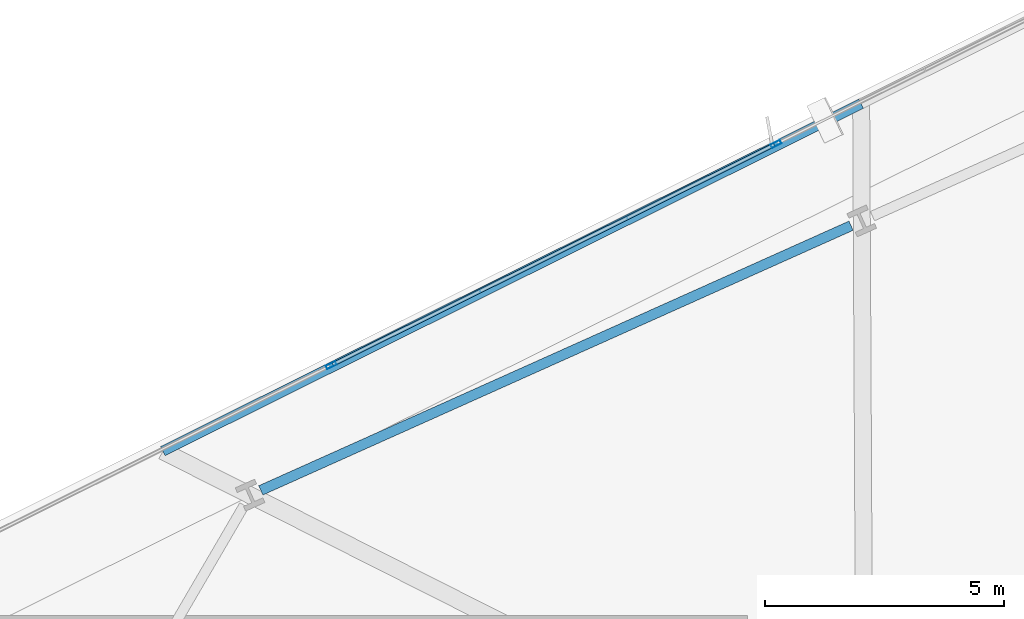
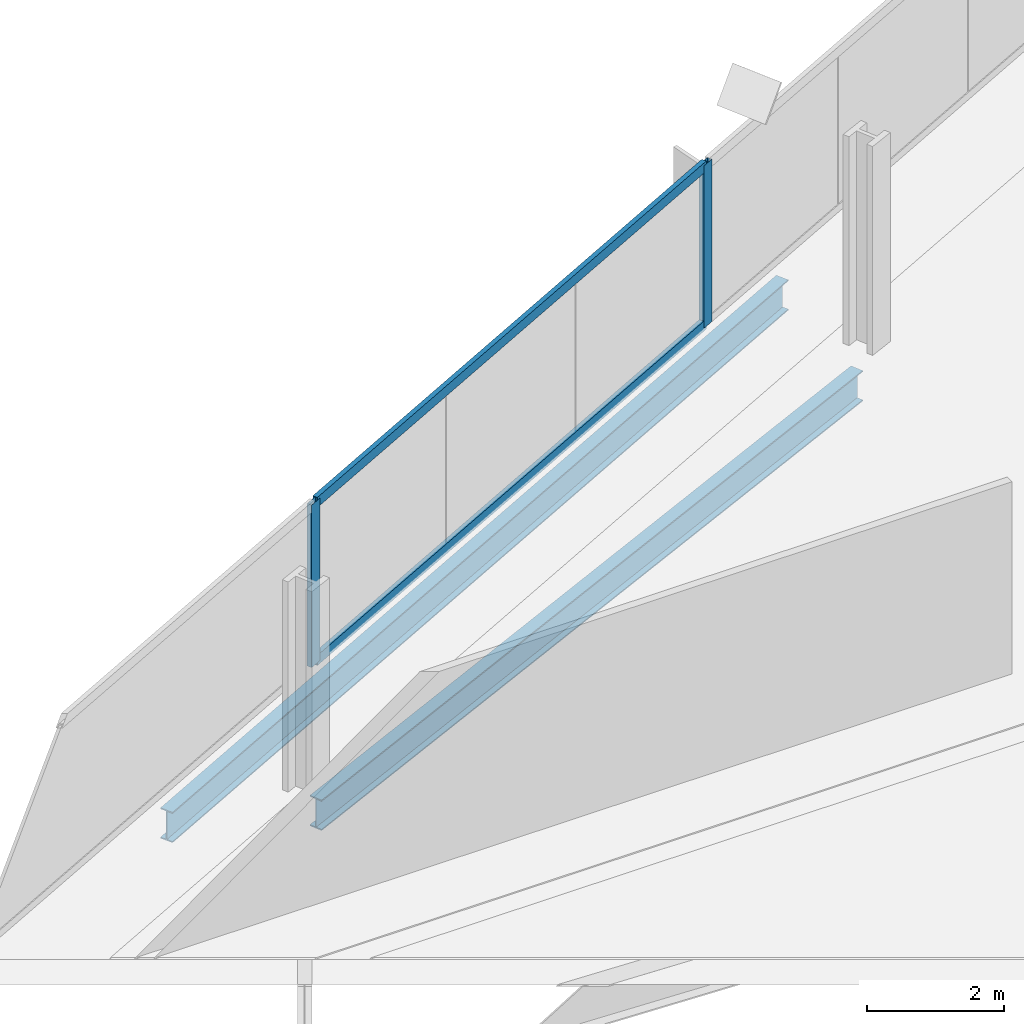
# One storey, part 17 of 35: 4 members, 2 beams, 1 element without a shape of its own.
"""IFC4 building model written with IfcOpenShell, lengths in metres."""

from ifc_helpers import new_model, si_unit, direction, frame, origin, origin_2d, place, context, subcontext, project, spatial, hollow_rectangle, i_section, extrude, material, material_profile, profile_set, type_object, element, aggregate, save


model = new_model("IFC4")

# Units and contexts
model_context = context("Model", 3, precision=1e-05, world=origin(), true_north=direction((0.0, 1.0)))
body_context = subcontext(model_context, "Body", "Model", "MODEL_VIEW")
ifc_project = project(units=[si_unit("LENGTHUNIT", "METRE"), si_unit("AREAUNIT", "SQUARE_METRE"), si_unit("VOLUMEUNIT", "CUBIC_METRE"), si_unit("PLANEANGLEUNIT", "RADIAN"), si_unit("MASSUNIT", "GRAM", prefix="KILO")], contexts=[model_context])

# Site, building, storey
site_placement = place(None, origin())
site = spatial("IfcSite", under=ifc_project, at=site_placement, CompositionType="ELEMENT")
building_placement = place(site_placement, origin())
building = spatial("IfcBuilding", under=site, at=building_placement, Name="Haldenkirk Collegiate Tower", CompositionType="ELEMENT")
storey_placement = place(building_placement, frame((0.0, 0.0, 116.699951171875)))
storey = spatial("IfcBuildingStorey", under=building, at=storey_placement, Name="L28", CompositionType="ELEMENT", Elevation=116.699951171875)

# Beams
ifc_material_1 = material(Name="Steel ASTM A992 Grade 50", Category="steel")
ifc_material_profile_1 = material_profile(ifc_material_1, i_section(OverallWidth=0.2119140625, OverallDepth=0.5439453125, WebThickness=0.01318359375, FlangeThickness=0.021240234375, at=origin_2d()), Name="W21X83")
ifc_profile_set_1 = profile_set([ifc_material_profile_1], Name="Steel ASTM A992 Grade 50")
beam_type = type_object("IfcBeamType", Name="BM-SPANDREL-W21X83", PredefinedType="SPANDREL", material=ifc_profile_set_1)
beam_1_placement = place(storey_placement, frame((26.7138671875, 46.111083984375, -0.572021484375), z_axis=(-0.912476765144, -0.409128528793, 0.0), x_axis=(0.409128528793, -0.912476765144, 0.0)))
element("IfcBeam", 1, at=beam_1_placement, inside=storey, type_object=beam_type, Name="L28 perimeter spandrel beam 11", PredefinedType="SPANDREL", context=body_context, shape_type="SweptSolid", body=[
    extrude(i_section(OverallWidth=0.2119140625, OverallDepth=0.5439453125, WebThickness=0.01318359375, FlangeThickness=0.021240234375, at=origin_2d()), origin(), (0.0, 0.0, 1.0), 13.512939453125),
])
beam_2_placement = place(storey_placement, frame((26.92529296875, 48.659912109375, -0.572021484375), z_axis=(-0.8953213915, -0.445420706661, 0.0), x_axis=(0.445420706661, -0.8953213915, 0.0)))
element("IfcBeam", 2, at=beam_2_placement, inside=storey, type_object=beam_type, Name="L28 outer facade edge beam 3B", PredefinedType="SPANDREL", context=body_context, shape_type="SweptSolid", body=[
    extrude(i_section(OverallWidth=0.2119140625, OverallDepth=0.5439453125, WebThickness=0.01318359375, FlangeThickness=0.021240234375, at=origin_2d()), origin(), (0.0, 0.0, 1.0), 16.294189453125),
])

# Curtain wall, members
ifc_material_2 = material(Name="Anodised architectural bronze aluminium", Category="aluminium")
curtain_wall_type = type_object("IfcCurtainWallType", Name="CW-SYS1-CONVEX-LOW", PredefinedType="USERDEFINED", material=ifc_material_2)
curtain_wall_placement = place(storey_placement, origin())
curtain_wall = element("IfcCurtainWall", 3, at=curtain_wall_placement, inside=storey, type_object=curtain_wall_type, Name="L28 Lower tower convex bronze-framed unitised curtain wall", ObjectType="UNITISED CURTAIN WALL", PredefinedType="USERDEFINED")
ifc_material_profile_2 = material_profile(ifc_material_2, hollow_rectangle(XDim=0.080078125, YDim=0.219970703125, WallThickness=0.0048828125, at=origin_2d()), Name="CW-MUL-1A")
ifc_profile_set_2 = profile_set([ifc_material_profile_2], Name="Anodised architectural bronze aluminium")
member_type_1 = type_object("IfcMemberType", Name="CW-MUL-1A", PredefinedType="MULLION", material=ifc_profile_set_2)
member_1_placement = place(storey_placement, frame((15.856201171875, 43.19775390625, 0.0), z_axis=(0.0, 0.0, 1.0), x_axis=(-0.445417030937, 0.895323220156, 0.0)))
member_1 = element("IfcMember", 4, at=member_1_placement, type_object=member_type_1, Name="CW-1A mullion 2", PredefinedType="MULLION", context=body_context, shape_type="SweptSolid", body=[
    extrude(hollow_rectangle(XDim=0.080078125, YDim=0.219970703125, WallThickness=0.0048828125, at=origin_2d()), origin(), (0.0, 0.0, 1.0), 2.901123046875),
])
member_2_placement = place(storey_placement, frame((25.145263671875, 47.819091796875, 0.0), z_axis=(0.0, 0.0, 1.0), x_axis=(-0.445417030937, 0.895323220156, 0.0)))
member_2 = element("IfcMember", 5, at=member_2_placement, type_object=member_type_1, Name="CW-1A mullion 3", PredefinedType="MULLION", context=body_context, shape_type="SweptSolid", body=[
    extrude(hollow_rectangle(XDim=0.080078125, YDim=0.219970703125, WallThickness=0.0048828125, at=origin_2d()), origin(), (0.0, 0.0, 1.0), 2.901123046875),
])
ifc_material_profile_3 = material_profile(ifc_material_2, hollow_rectangle(XDim=0.080078125, YDim=0.179931640625, WallThickness=0.0048828125, at=origin_2d()), Name="CW-TRN-1A")
ifc_profile_set_3 = profile_set([ifc_material_profile_3], Name="Anodised architectural bronze aluminium")
member_type_2 = type_object("IfcMemberType", Name="CW-TRN-1A", PredefinedType="USERDEFINED", material=ifc_profile_set_3)
member_3_placement = place(storey_placement, frame((15.89208984375, 43.215576171875, 0.0400390625), z_axis=(0.895317078221, 0.445429376496, 0.0), x_axis=(-0.445429376496, 0.895317078221, 0.0)))
member_3 = element("IfcMember", 6, at=member_3_placement, type_object=member_type_2, Name="CW-1A transom 2.1", ObjectType="TRANSOM", PredefinedType="USERDEFINED", context=body_context, shape_type="SweptSolid", body=[
    extrude(hollow_rectangle(XDim=0.080078125, YDim=0.179931640625, WallThickness=0.0048828125, at=origin_2d()), origin(), (0.0, 0.0, 1.0), 10.294921875),
])
member_4_placement = place(storey_placement, frame((15.89208984375, 43.215576171875, 2.861083984375), z_axis=(0.895317078221, 0.445429376496, 0.0), x_axis=(-0.445429376496, 0.895317078221, 0.0)))
member_4 = element("IfcMember", 7, at=member_4_placement, type_object=member_type_2, Name="CW-1A transom 2.2", ObjectType="TRANSOM", PredefinedType="USERDEFINED", context=body_context, shape_type="SweptSolid", body=[
    extrude(hollow_rectangle(XDim=0.080078125, YDim=0.179931640625, WallThickness=0.0048828125, at=origin_2d()), origin(), (0.0, 0.0, 1.0), 10.294921875),
])
aggregate(curtain_wall, [member_1, member_2, member_3, member_4])

save(model, "model.ifc")
